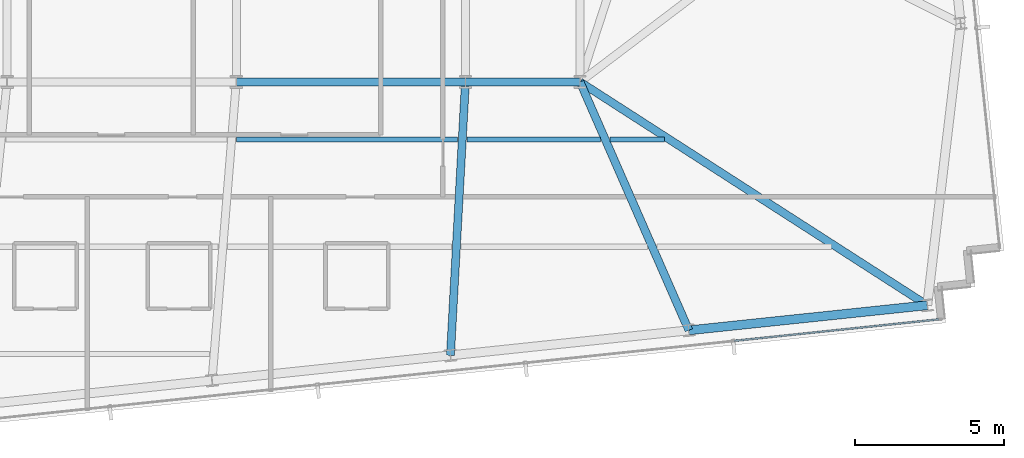
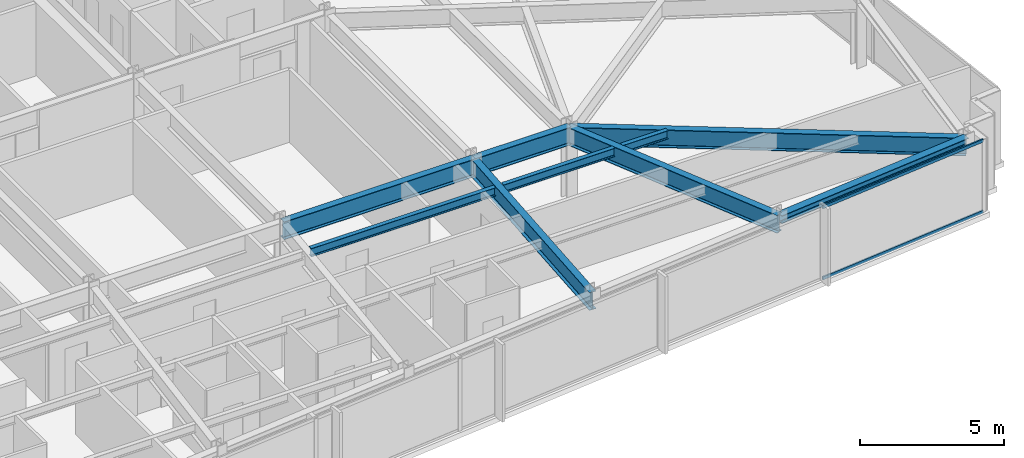
# One storey, part 16 of 33: 9 beams, 2 members, 1 element without a shape of its own.
"""IFC4 building model written with IfcOpenShell, lengths in metres."""

from ifc_helpers import new_model, si_unit, direction, frame, origin, origin_2d, place, context, subcontext, project, spatial, hollow_rectangle, i_section, extrude, material, material_profile, profile_set, type_object, element, aggregate, save


model = new_model("IFC4")

# Units and contexts
model_context = context("Model", 3, precision=1e-05, world=origin(), true_north=direction((0.0, 1.0)))
body_context = subcontext(model_context, "Body", "Model", "MODEL_VIEW")
ifc_project = project(units=[si_unit("LENGTHUNIT", "METRE"), si_unit("AREAUNIT", "SQUARE_METRE"), si_unit("VOLUMEUNIT", "CUBIC_METRE"), si_unit("PLANEANGLEUNIT", "RADIAN"), si_unit("MASSUNIT", "GRAM", prefix="KILO")], contexts=[model_context])

# Site, building, storey
site_placement = place(None, origin())
site = spatial("IfcSite", under=ifc_project, at=site_placement, CompositionType="ELEMENT")
building_placement = place(site_placement, origin())
building = spatial("IfcBuilding", under=site, at=building_placement, Name="Yelkora Congress Tower", CompositionType="ELEMENT")
storey_placement = place(building_placement, frame((0.0, 0.0, 230.89990234375)))
storey = spatial("IfcBuildingStorey", under=building, at=storey_placement, Name="L64", CompositionType="ELEMENT", Elevation=230.89990234375)

# Beams
ifc_material_1 = material(Name="Steel S355J2", Category="steel")
ifc_material_profile_1 = material_profile(ifc_material_1, i_section(OverallWidth=0.26708984375, OverallDepth=0.761962890625, WebThickness=0.014404296875, FlangeThickness=0.021484375, FilletRadius=0.01708984375, at=origin_2d()), Name="IPE 750x173")
ifc_profile_set_1 = profile_set([ifc_material_profile_1], Name="Steel S355J2")
beam_type_1 = type_object("IfcBeamType", Name="BM-GIRD-IPE750", PredefinedType="BEAM", material=ifc_profile_set_1)
beam_1_placement = place(storey_placement, frame((46.080078125, 25.199951171875, 2.69921875), z_axis=(1.0, 0.0, 0.0), x_axis=(0.0, 1.0, 0.0)))
element("IfcBeam", 1, at=beam_1_placement, inside=storey, type_object=beam_type_1, Name="L64 Spine Grid D Girder 5", PredefinedType="BEAM", context=body_context, shape_type="SweptSolid", body=[
    extrude(i_section(OverallWidth=0.26708984375, OverallDepth=0.761962890625, WebThickness=0.014404296875, FlangeThickness=0.021484375, FilletRadius=0.01708984375, at=origin_2d()), origin(), (0.0, 0.0, 1.0), 7.679931640625),
])
beam_2_placement = place(storey_placement, frame((53.760009765625, 25.199951171875, 2.69921875), z_axis=(1.0, 0.0, 0.0), x_axis=(0.0, 1.0, 0.0)))
element("IfcBeam", 2, at=beam_2_placement, inside=storey, type_object=beam_type_1, Name="L64 Spine Grid D Girder 6", PredefinedType="BEAM", context=body_context, shape_type="SweptSolid", body=[
    extrude(i_section(OverallWidth=0.26708984375, OverallDepth=0.761962890625, WebThickness=0.014404296875, FlangeThickness=0.021484375, FilletRadius=0.01708984375, at=origin_2d()), origin(), (0.0, 0.0, 1.0), 3.840087890625),
])
beam_3_placement = place(storey_placement, frame((53.25634765625, 16.037353515625, 2.69921875), z_axis=(0.054886497042, 0.998492600094, 0.0), x_axis=(-0.998492600094, 0.054886497042, 0.0)))
element("IfcBeam", 3, at=beam_3_placement, inside=storey, type_object=beam_type_1, Name="L64 Primary Frame Girder S05", PredefinedType="BEAM", context=body_context, shape_type="SweptSolid", body=[
    extrude(i_section(OverallWidth=0.26708984375, OverallDepth=0.761962890625, WebThickness=0.014404296875, FlangeThickness=0.021484375, FilletRadius=0.01708984375, at=origin_2d()), origin(), (0.0, 0.0, 1.0), 9.176513671875),
])
beam_4_placement = place(storey_placement, frame((61.24560546875, 16.877197265625, 2.69921875), z_axis=(-0.401216289608, 0.915983345347, 0.0), x_axis=(-0.915983345347, -0.401216289608, 0.0)))
element("IfcBeam", 4, at=beam_4_placement, inside=storey, type_object=beam_type_1, Name="L64 Primary Frame Girder S06", PredefinedType="BEAM", context=body_context, shape_type="SweptSolid", body=[
    extrude(i_section(OverallWidth=0.26708984375, OverallDepth=0.761962890625, WebThickness=0.014404296875, FlangeThickness=0.021484375, FilletRadius=0.01708984375, at=origin_2d()), origin(), (0.0, 0.0, 1.0), 9.086181640625),
])
beam_5_placement = place(storey_placement, frame((69.235107421875, 17.716796875, 2.69921875), z_axis=(-0.841063201017, 0.54093686498, 0.0), x_axis=(-0.54093686498, -0.841063201017, 0.0)))
element("IfcBeam", 5, at=beam_5_placement, inside=storey, type_object=beam_type_1, Name="L64 Primary Frame Girder S07", PredefinedType="BEAM", context=body_context, shape_type="SweptSolid", body=[
    extrude(i_section(OverallWidth=0.26708984375, OverallDepth=0.761962890625, WebThickness=0.014404296875, FlangeThickness=0.021484375, FilletRadius=0.01708984375, at=origin_2d()), origin(), (0.0, 0.0, 1.0), 13.833740234375),
])
ifc_material_profile_2 = material_profile(ifc_material_1, i_section(OverallWidth=0.169921875, OverallDepth=0.360107421875, WebThickness=0.008056640625, FlangeThickness=0.0126953125, FilletRadius=0.01806640625, at=origin_2d()), Name="IPE 360")
ifc_profile_set_2 = profile_set([ifc_material_profile_2], Name="Steel S355J2")
beam_type_2 = type_object("IfcBeamType", Name="BM-JOIST-IPE360", PredefinedType="JOIST", material=ifc_profile_set_2)
beam_6_placement = place(storey_placement, frame((46.083740234375, 23.278564453125, 2.900146484375), z_axis=(1.0, 0.0, 0.0), x_axis=(0.0, 1.0, 0.0)))
element("IfcBeam", 6, at=beam_6_placement, inside=storey, type_object=beam_type_2, Name="L64 Composite Floor Joist 12", PredefinedType="JOIST", context=body_context, shape_type="SweptSolid", body=[
    extrude(i_section(OverallWidth=0.169921875, OverallDepth=0.360107421875, WebThickness=0.008056640625, FlangeThickness=0.0126953125, FilletRadius=0.01806640625, at=origin_2d()), origin(), (0.0, 0.0, 1.0), 7.41064453125),
])
beam_7_placement = place(storey_placement, frame((53.814453125, 23.278564453125, 2.900146484375), z_axis=(1.0, 0.0, 0.0), x_axis=(0.0, 1.0, 0.0)))
element("IfcBeam", 7, at=beam_7_placement, inside=storey, type_object=beam_type_2, Name="L64 Composite Floor Joist 13", PredefinedType="JOIST", context=body_context, shape_type="SweptSolid", body=[
    extrude(i_section(OverallWidth=0.169921875, OverallDepth=0.360107421875, WebThickness=0.008056640625, FlangeThickness=0.0126953125, FilletRadius=0.01806640625, at=origin_2d()), origin(), (0.0, 0.0, 1.0), 4.46728515625),
])
beam_8_placement = place(storey_placement, frame((58.601806640625, 23.278564453125, 2.900146484375), z_axis=(1.0, 0.0, 0.0), x_axis=(0.0, 1.0, 0.0)))
element("IfcBeam", 8, at=beam_8_placement, inside=storey, type_object=beam_type_2, Name="L64 Composite Floor Joist 14", PredefinedType="JOIST", context=body_context, shape_type="SweptSolid", body=[
    extrude(i_section(OverallWidth=0.169921875, OverallDepth=0.360107421875, WebThickness=0.008056640625, FlangeThickness=0.0126953125, FilletRadius=0.01806640625, at=origin_2d()), origin(), (0.0, 0.0, 1.0), 1.82568359375),
])
ifc_material_profile_3 = material_profile(ifc_material_1, i_section(OverallWidth=0.300048828125, OverallDepth=0.340087890625, WebThickness=0.011962890625, FlangeThickness=0.021484375, FilletRadius=0.027099609375, at=origin_2d()), Name="HEB 340")
ifc_profile_set_3 = profile_set([ifc_material_profile_3], Name="Steel S355J2")
beam_type_3 = type_object("IfcBeamType", Name="BM-SPAN-HEB340", PredefinedType="SPANDREL", material=ifc_profile_set_3)
beam_9_placement = place(storey_placement, frame((61.24560546875, 16.877197265625, 2.91015625), z_axis=(0.99452358891, 0.104512349038, 0.0), x_axis=(-0.104512349038, 0.99452358891, 0.0)))
element("IfcBeam", 9, at=beam_9_placement, inside=storey, type_object=beam_type_3, Name="L64 Perimeter Beam 8", PredefinedType="SPANDREL", context=body_context, shape_type="SweptSolid", body=[
    extrude(i_section(OverallWidth=0.300048828125, OverallDepth=0.340087890625, WebThickness=0.011962890625, FlangeThickness=0.021484375, FilletRadius=0.027099609375, at=origin_2d()), origin(), (0.0, 0.0, 1.0), 8.033447265625),
])

# Curtain wall, members
ifc_material_2 = material(Name="Anodised aluminium and insulated glass", Category="aluminium")
curtain_wall_type = type_object("IfcCurtainWallType", Name="CW-SYS-B4", PredefinedType="NOTDEFINED", material=ifc_material_2)
curtain_wall_placement = place(storey_placement, origin())
curtain_wall = element("IfcCurtainWall", 10, at=curtain_wall_placement, inside=storey, type_object=curtain_wall_type, Name="L64 Unitised Curtain Wall 20", PredefinedType="NOTDEFINED")
ifc_material_3 = material(Name="Anodised aluminium 6063-T6", Category="aluminium")
ifc_material_profile_4 = material_profile(ifc_material_3, hollow_rectangle(XDim=0.06005859375, YDim=0.1298828125, WallThickness=0.00390625, at=origin_2d()), Name="ALU 60x130x4")
ifc_profile_set_4 = profile_set([ifc_material_profile_4], Name="Anodised aluminium 6063-T6")
member_type = type_object("IfcMemberType", Name="MEM-TR-B4", PredefinedType="USERDEFINED", material=ifc_profile_set_4)
member_1_placement = place(storey_placement, frame((69.63134765625, 17.24560546875, 0.030029296875), z_axis=(-0.994523648539, -0.104511781616, 0.0), x_axis=(0.104511781616, -0.994523648539, 0.0)))
member_1 = element("IfcMember", 11, at=member_1_placement, type_object=member_type, Name="CW-B4 transom 1.1", ObjectType="TRANSOM", PredefinedType="USERDEFINED", context=body_context, shape_type="SweptSolid", body=[
    extrude(hollow_rectangle(XDim=0.06005859375, YDim=0.1298828125, WallThickness=0.00390625, at=origin_2d()), origin(), (0.0, 0.0, 1.0), 6.9052734375),
])
member_2_placement = place(storey_placement, frame((69.63134765625, 17.24560546875, 3.050048828125), z_axis=(-0.994523648539, -0.104511781616, 0.0), x_axis=(0.104511781616, -0.994523648539, 0.0)))
member_2 = element("IfcMember", 12, at=member_2_placement, type_object=member_type, Name="CW-B4 transom 1.2", ObjectType="TRANSOM", PredefinedType="USERDEFINED", context=body_context, shape_type="SweptSolid", body=[
    extrude(hollow_rectangle(XDim=0.06005859375, YDim=0.1298828125, WallThickness=0.00390625, at=origin_2d()), origin(), (0.0, 0.0, 1.0), 6.9052734375),
])
aggregate(curtain_wall, [member_1, member_2])

save(model, "model.ifc")
